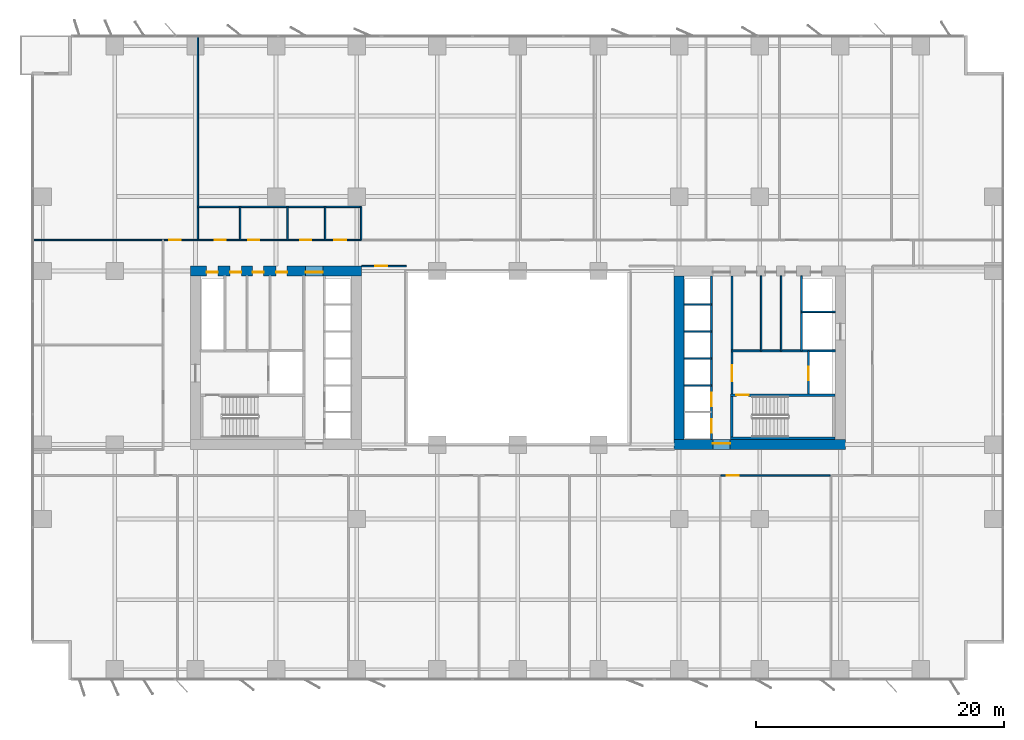
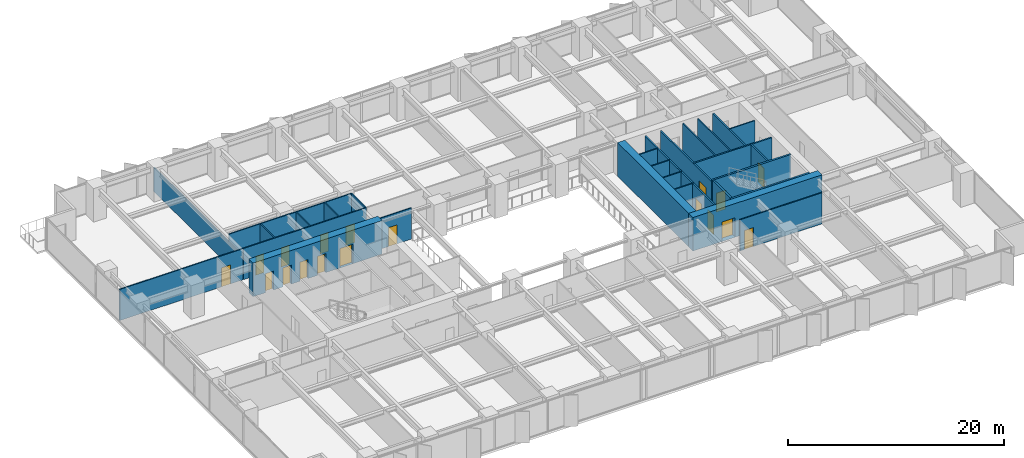
# One storey, part 14 of 20: 28 walls, 18 doors, 18 openings.
"""IFC4 building model written with IfcOpenShell, lengths in metres."""

from ifc_helpers import new_model, si_unit, direction, frame, frame_2d, origin, place, context, subcontext, project, spatial, rectangle, extrude, material, layer, layer_set, type_object, element, fill, save


model = new_model("IFC4")

# Units and contexts
model_context = context("Model", 3, precision=1e-05, world=origin(), true_north=direction((0.0, 1.0)))
body_context = subcontext(model_context, "Body", "Model", "MODEL_VIEW")
ifc_project = project(units=[si_unit("LENGTHUNIT", "METRE"), si_unit("AREAUNIT", "SQUARE_METRE"), si_unit("VOLUMEUNIT", "CUBIC_METRE"), si_unit("PLANEANGLEUNIT", "RADIAN"), si_unit("MASSUNIT", "GRAM", prefix="KILO")], contexts=[model_context])

# Site, building, storey
site_placement = place(None, origin())
site = spatial("IfcSite", under=ifc_project, at=site_placement, CompositionType="ELEMENT")
building_placement = place(site_placement, origin())
building = spatial("IfcBuilding", under=site, at=building_placement, Name="Putna Gate Headquarters", CompositionType="ELEMENT")
storey_placement = place(building_placement, frame((0.0, 0.0, 77.199951171875)))
storey = spatial("IfcBuildingStorey", under=building, at=storey_placement, Name="L18", CompositionType="ELEMENT", Elevation=77.199951171875)

# Wall, openings, doors
ifc_material_1 = material(Name="Concrete C60/75", Category="concrete")
ifc_layer_1 = layer(ifc_material_1, 0.800048828125)
ifc_layer_set_1 = layer_set([ifc_layer_1], Name="Concrete C60/75")
wall_type_1 = type_object("IfcWallType", Name="WALL-CORE-800", PredefinedType="SHEAR", material=ifc_layer_set_1)
wall_1_placement = place(storey_placement, frame((12.60009765625, 33.0, 0.0), z_axis=(0.0, 0.0, 1.0), x_axis=(1.0, 0.0, 0.0)))
wall_1 = element("IfcWall", 1, at=wall_1_placement, inside=storey, type_object=wall_type_1, Name="L18 WC Split Core Shear Wall N", PredefinedType="SHEAR", context=body_context, shape_type="SweptSolid", body=[
    extrude(rectangle(XDim=13.7998046875, YDim=0.800048828125, at=frame_2d((6.89990234375, 0.0))), origin(), (0.0, 0.0, 1.0), 3.800048828125),
])
opening_1_placement = place(wall_1_placement, frame((1.300048828125, 0.0, 0.0)))
opening_1 = element("IfcOpeningElement", 2, at=opening_1_placement, cuts=wall_1, Name="Opening RD-90", PredefinedType="OPENING", context=body_context, shape_type="SweptSolid", body=[
    extrude(rectangle(XDim=0.89990234375, YDim=2.14990234375, at=frame_2d((0.449951171875, 1.074951171875))), frame((0.0, 0.409912109375, 0.0), z_axis=(0.0, -1.0, 0.0), x_axis=(1.0, 0.0, 0.0)), (0.0, 0.0, 1.0), 0.820068359375),
])
opening_2_placement = place(wall_1_placement, frame((3.199951171875, 0.0, 0.0)))
opening_2 = element("IfcOpeningElement", 3, at=opening_2_placement, cuts=wall_1, Name="Opening IDS-90", PredefinedType="OPENING", context=body_context, shape_type="SweptSolid", body=[
    extrude(rectangle(XDim=0.89990234375, YDim=2.14990234375, at=frame_2d((0.449951171875, 1.074951171875))), frame((0.0, 0.409912109375, 0.0), z_axis=(0.0, -1.0, 0.0), x_axis=(1.0, 0.0, 0.0)), (0.0, 0.0, 1.0), 0.820068359375),
])
opening_3_placement = place(wall_1_placement, frame((5.0, 0.0, 0.0)))
opening_3 = element("IfcOpeningElement", 4, at=opening_3_placement, cuts=wall_1, Name="Opening IDS-90", PredefinedType="OPENING", context=body_context, shape_type="SweptSolid", body=[
    extrude(rectangle(XDim=0.89990234375, YDim=2.14990234375, at=frame_2d((0.449951171875, 1.074951171875))), frame((0.0, 0.409912109375, 0.0), z_axis=(0.0, -1.0, 0.0), x_axis=(1.0, 0.0, 0.0)), (0.0, 0.0, 1.0), 0.820068359375),
])
opening_4_placement = place(wall_1_placement, frame((6.89990234375, 0.0, 0.0)))
opening_4 = element("IfcOpeningElement", 5, at=opening_4_placement, cuts=wall_1, Name="Opening IDS-90", PredefinedType="OPENING", context=body_context, shape_type="SweptSolid", body=[
    extrude(rectangle(XDim=0.89990234375, YDim=2.14990234375, at=frame_2d((0.449951171875, 1.074951171875))), frame((0.0, 0.409912109375, 0.0), z_axis=(0.0, -1.0, 0.0), x_axis=(1.0, 0.0, 0.0)), (0.0, 0.0, 1.0), 0.820068359375),
])
opening_5_placement = place(wall_1_placement, frame((9.280029296875, 0.0, 0.0)))
opening_5 = element("IfcOpeningElement", 6, at=opening_5_placement, cuts=wall_1, Name="Opening FDD-140", PredefinedType="OPENING", context=body_context, shape_type="SweptSolid", body=[
    extrude(rectangle(XDim=1.39990234375, YDim=2.199951171875, at=frame_2d((0.699951171875, 1.10009765625))), frame((0.0, 0.409912109375, 0.0), z_axis=(0.0, -1.0, 0.0), x_axis=(1.0, 0.0, 0.0)), (0.0, 0.0, 1.0), 0.820068359375),
])
ifc_material_2 = material(Name="Double steel fire door", Category="steel")
door_type_1 = type_object("IfcDoorType", Name="DOOR-FIRE-DBL-1400", OperationType="DOUBLE_DOOR_SINGLE_SWING", PredefinedType="DOOR", material=ifc_material_2)
door_1_placement = place(opening_5_placement, origin())
door_1 = element("IfcDoor", 7, at=door_1_placement, inside=storey, type_object=door_type_1, Name="L18 West Lift Lobby North Door", OperationType="DOUBLE_DOOR_SINGLE_SWING", OverallHeight=2.199951171875, OverallWidth=1.39990234375, PredefinedType="DOOR", context=body_context, shape_type="SweptSolid", body=[
    extrude(rectangle(XDim=1.39990234375, YDim=2.199951171875, at=frame_2d((0.699951171875, 1.10009765625))), frame((0.0, -0.0751953125, 0.0), z_axis=(0.0, -1.0, 0.0), x_axis=(1.0, 0.0, 0.0)), (0.0, 0.0, 1.0), 0.050048828125),
])
fill(opening_5, door_1)
ifc_material_3 = material(Name="Fire-rated utility door")
door_type_2 = type_object("IfcDoorType", Name="DOOR-INT-900", OperationType="NOTDEFINED", PredefinedType="DOOR", material=ifc_material_3)
door_2_placement = place(opening_2_placement, origin())
door_2 = element("IfcDoor", 8, at=door_2_placement, inside=storey, type_object=door_type_2, Name="L18 Janitor Cupboard Door", OperationType="SINGLE_SWING_LEFT", OverallHeight=2.14990234375, OverallWidth=0.89990234375, PredefinedType="DOOR", context=body_context, shape_type="SweptSolid", body=[
    extrude(rectangle(XDim=0.89990234375, YDim=2.14990234375, at=frame_2d((0.449951171875, 1.074951171875))), frame((0.0, -0.0751953125, 0.0), z_axis=(0.0, -1.0, 0.0), x_axis=(1.0, 0.0, 0.0)), (0.0, 0.0, 1.0), 0.050048828125),
])
fill(opening_2, door_2)
door_3_placement = place(opening_3_placement, origin())
door_3 = element("IfcDoor", 9, at=door_3_placement, inside=storey, type_object=door_type_2, Name="L18 IT Patch Plant Door", OperationType="SINGLE_SWING_RIGHT", OverallHeight=2.14990234375, OverallWidth=0.89990234375, PredefinedType="DOOR", context=body_context, shape_type="SweptSolid", body=[
    extrude(rectangle(XDim=0.89990234375, YDim=2.14990234375, at=frame_2d((0.449951171875, 1.074951171875))), frame((0.0, -0.0751953125, 0.0), z_axis=(0.0, -1.0, 0.0), x_axis=(1.0, 0.0, 0.0)), (0.0, 0.0, 1.0), 0.050048828125),
])
fill(opening_3, door_3)
door_4_placement = place(opening_4_placement, origin())
door_4 = element("IfcDoor", 10, at=door_4_placement, inside=storey, type_object=door_type_2, Name="L18 Building Records Store Door", OperationType="SINGLE_SWING_LEFT", OverallHeight=2.14990234375, OverallWidth=0.89990234375, PredefinedType="DOOR", context=body_context, shape_type="SweptSolid", body=[
    extrude(rectangle(XDim=0.89990234375, YDim=2.14990234375, at=frame_2d((0.449951171875, 1.074951171875))), frame((0.0, -0.0751953125, 0.0), z_axis=(0.0, -1.0, 0.0), x_axis=(1.0, 0.0, 0.0)), (0.0, 0.0, 1.0), 0.050048828125),
])
fill(opening_4, door_4)
ifc_material_4 = material(Name="Steel riser access fire door", Category="steel")
door_type_3 = type_object("IfcDoorType", Name="DOOR-RISER-900", OperationType="NOTDEFINED", PredefinedType="DOOR", material=ifc_material_4)
door_5_placement = place(opening_1_placement, origin())
door_5 = element("IfcDoor", 11, at=door_5_placement, inside=storey, type_object=door_type_3, Name="L18 West Riser Access Door", OperationType="SINGLE_SWING_RIGHT", OverallHeight=2.14990234375, OverallWidth=0.89990234375, PredefinedType="DOOR", context=body_context, shape_type="SweptSolid", body=[
    extrude(rectangle(XDim=0.89990234375, YDim=2.14990234375, at=frame_2d((0.449951171875, 1.074951171875))), frame((0.0, -0.0751953125, 0.0), z_axis=(0.0, -1.0, 0.0), x_axis=(1.0, 0.0, 0.0)), (0.0, 0.0, 1.0), 0.050048828125),
])
fill(opening_1, door_5)

# Wall, opening, door
wall_2_placement = place(storey_placement, frame((51.60009765625, 19.0, 0.0), z_axis=(0.0, 0.0, 1.0), x_axis=(1.0, 0.0, 0.0)))
wall_2 = element("IfcWall", 12, at=wall_2_placement, inside=storey, type_object=wall_type_1, Name="L18 EC Split Core Shear Wall S", PredefinedType="SHEAR", context=body_context, shape_type="SweptSolid", body=[
    extrude(rectangle(XDim=13.7998046875, YDim=0.800048828125, at=frame_2d((6.89990234375, 0.0))), origin(), (0.0, 0.0, 1.0), 3.800048828125),
])
opening_6_placement = place(wall_2_placement, frame((3.1201171875, 0.0, 0.0)))
opening_6 = element("IfcOpeningElement", 13, at=opening_6_placement, cuts=wall_2, Name="Opening FDD-140", PredefinedType="OPENING", context=body_context, shape_type="SweptSolid", body=[
    extrude(rectangle(XDim=1.39990234375, YDim=2.199951171875, at=frame_2d((0.699951171875, 1.10009765625))), frame((0.0, 0.409912109375, 0.0), z_axis=(0.0, -1.0, 0.0), x_axis=(1.0, 0.0, 0.0)), (0.0, 0.0, 1.0), 0.820068359375),
])
door_6_placement = place(opening_6_placement, origin())
door_6 = element("IfcDoor", 14, at=door_6_placement, inside=storey, type_object=door_type_1, Name="L18 East Lift Lobby South Door", OperationType="DOUBLE_DOOR_SINGLE_SWING", OverallHeight=2.199951171875, OverallWidth=1.39990234375, PredefinedType="DOOR", context=body_context, shape_type="SweptSolid", body=[
    extrude(rectangle(XDim=1.39990234375, YDim=2.199951171875, at=frame_2d((0.699951171875, 1.10009765625))), frame((0.0, 0.125, 0.0), z_axis=(0.0, -1.0, 0.0), x_axis=(1.0, 0.0, 0.0)), (0.0, 0.0, 1.0), 0.050048828125),
])
fill(opening_6, door_6)

# Wall
wall_3_placement = place(storey_placement, frame((52.0, 19.39990234375, 0.0), z_axis=(0.0, 0.0, 1.0), x_axis=(0.0, 1.0, 0.0)))
element("IfcWall", 15, at=wall_3_placement, inside=storey, type_object=wall_type_1, Name="L18 EC Split Core Shear Wall W", PredefinedType="SHEAR", context=body_context, shape_type="SweptSolid", body=[
    extrude(rectangle(XDim=13.2001953125, YDim=0.800048828125, at=frame_2d((6.60009765625, 0.0))), origin(), (0.0, 0.0, 1.0), 3.800048828125),
])

# Wall, opening, door
ifc_material_5 = material(Name="Acoustic gypsum board on metal stud")
ifc_layer_2 = layer(ifc_material_5, 0.1201171875)
ifc_layer_set_2 = layer_set([ifc_layer_2], Name="Acoustic gypsum board on metal stud")
wall_type_2 = type_object("IfcWallType", Name="WALL-PART-120", PredefinedType="PARTITIONING", material=ifc_layer_set_2)
wall_4_placement = place(storey_placement, frame((26.39990234375, 33.39990234375, 0.0), z_axis=(0.0, 0.0, 1.0), x_axis=(1.0, 0.0, 0.0)))
wall_4 = element("IfcWall", 16, at=wall_4_placement, inside=storey, type_object=wall_type_2, Name="L18 Interior Wall PART-L18-ATR-W-N", PredefinedType="PARTITIONING", context=body_context, shape_type="SweptSolid", body=[
    extrude(rectangle(XDim=3.60009765625, YDim=0.1201171875, at=frame_2d((1.800048828125, 0.0))), origin(), (0.0, 0.0, 1.0), 3.52001953125),
])
opening_7_placement = place(wall_4_placement, frame((1.10009765625, 0.0, 0.0)))
opening_7 = element("IfcOpeningElement", 17, at=opening_7_placement, cuts=wall_4, Name="Opening ID-95", PredefinedType="OPENING", context=body_context, shape_type="SweptSolid", body=[
    extrude(rectangle(XDim=0.949951171875, YDim=2.14990234375, at=frame_2d((0.47509765625, 1.074951171875))), frame((0.0, 0.070068359375, 0.0), z_axis=(0.0, -1.0, 0.0), x_axis=(1.0, 0.0, 0.0)), (0.0, 0.0, 1.0), 0.14013671875),
])
ifc_material_6 = material(Name="Veneered acoustic timber door", Category="wood")
door_type_4 = type_object("IfcDoorType", Name="DOOR-OFF-950", OperationType="NOTDEFINED", PredefinedType="DOOR", material=ifc_material_6)
door_7_placement = place(opening_7_placement, origin())
door_7 = element("IfcDoor", 18, at=door_7_placement, inside=storey, type_object=door_type_4, Name="L18 West Atrium North Study Door", OperationType="SINGLE_SWING_RIGHT", OverallHeight=2.14990234375, OverallWidth=0.949951171875, PredefinedType="DOOR", context=body_context, shape_type="SweptSolid", body=[
    extrude(rectangle(XDim=0.949951171875, YDim=2.14990234375, at=frame_2d((0.47509765625, 1.074951171875))), frame((0.0, 0.02490234375, 0.0), z_axis=(0.0, -1.0, 0.0), x_axis=(1.0, 0.0, 0.0)), (0.0, 0.0, 1.0), 0.050048828125),
])
fill(opening_7, door_7)

# Walls
wall_5_placement = place(storey_placement, frame((13.199951171875, 35.56005859375, 0.0), z_axis=(0.0, 0.0, 1.0), x_axis=(0.0, 1.0, 0.0)))
element("IfcWall", 19, at=wall_5_placement, inside=storey, type_object=wall_type_2, Name="L18 Interior Wall PART-L18-NB-DIV-01", PredefinedType="PARTITIONING", context=body_context, shape_type="SweptSolid", body=[
    extrude(rectangle(XDim=16.419921875, YDim=0.1201171875, at=frame_2d((8.2099609375, 0.0))), origin(), (0.0, 0.0, 1.0), 2.719970703125),
])
ifc_material_7 = material(Name="Fire-rated shaftwall gypsum board on metal stud")
ifc_layer_3 = layer(ifc_material_7, 0.1201171875)
ifc_layer_set_3 = layer_set([ifc_layer_3], Name="Fire-rated shaftwall gypsum board on metal stud")
wall_type_3 = type_object("IfcWallType", Name="WALL-PART-120-EI120", PredefinedType="PARTITIONING", material=ifc_layer_set_3)
for number, where, z_axis, x_axis, name in (
    (20, (52.39990234375, 23.780029296875, 0.0), (0.0, 0.0, 1.0), (1.0, 0.0, 0.0), "L18 Interior Wall CWINT-L18-EC-LF04-DIV"),
    (21, (52.39990234375, 25.949951171875, 0.0), (0.0, 0.0, 1.0), (1.0, 0.0, 0.0), "L18 Interior Wall CWINT-L18-EC-LF07-DIV"),
    (22, (52.39990234375, 28.1201171875, 0.0), (0.0, 0.0, 1.0), (1.0, 0.0, 0.0), "L18 Interior Wall CWINT-L18-EC-LF08-DIV"),
    (23, (52.39990234375, 30.31005859375, 0.0), (0.0, 0.0, 1.0), (1.0, 0.0, 0.0), "L18 Interior Wall CWINT-L18-EC-LF11-DIV"),
):
    element("IfcWall", number, at=place(storey_placement, frame(where, z_axis=z_axis, x_axis=x_axis)), inside=storey, type_object=wall_type_3, Name=name, PredefinedType="PARTITIONING", context=body_context, shape_type="SweptSolid", body=[
        extrude(rectangle(XDim=2.2001953125, YDim=0.1201171875, at=frame_2d((1.10009765625, 0.0))), origin(), (0.0, 0.0, 1.0), 3.52001953125),
    ])
wall_6_placement = place(storey_placement, frame((61.8701171875, 29.699951171875, 0.0), z_axis=(0.0, 0.0, 1.0), x_axis=(1.0, 0.0, 0.0)))
element("IfcWall", 24, at=wall_6_placement, inside=storey, type_object=wall_type_3, Name="L18 Interior Wall CWINT-L18-EC-LF15-N", PredefinedType="PARTITIONING", context=body_context, shape_type="SweptSolid", body=[
    extrude(rectangle(XDim=2.72998046875, YDim=0.1201171875, at=frame_2d((1.364990234375, 0.0))), origin(), (0.0, 0.0, 1.0), 3.52001953125),
])
ifc_material_8 = material(Name="Fire-rated gypsum board on metal stud")
ifc_layer_4 = layer(ifc_material_8, 0.1201171875)
ifc_layer_set_4 = layer_set([ifc_layer_4], Name="Fire-rated gypsum board on metal stud")
wall_type_4 = type_object("IfcWallType", Name="WALL-PART-120-RATED", PredefinedType="PARTITIONING", material=ifc_layer_set_4)
for number, where, z_axis, x_axis, name in (
    (25, (58.6201171875, 26.56005859375, 0.0), (0.0, 0.0, 1.0), (0.0, 1.0, 0.0), "L18 Interior Wall CWINT-L18-EC-K2-D1"),
    (26, (60.219970703125, 26.56005859375, 0.0), (0.0, 0.0, 1.0), (0.0, 1.0, 0.0), "L18 Interior Wall CWINT-L18-EC-K2-D2"),
):
    element("IfcWall", number, at=place(storey_placement, frame(where, z_axis=z_axis, x_axis=x_axis)), inside=storey, type_object=wall_type_4, Name=name, PredefinedType="PARTITIONING", context=body_context, shape_type="SweptSolid", body=[
        extrude(rectangle(XDim=6.0400390625, YDim=0.1201171875, at=frame_2d((3.02001953125, 0.0))), origin(), (0.0, 0.0, 1.0), 3.52001953125),
    ])

# Wall, openings, doors
wall_7_placement = place(storey_placement, frame((13.199951171875, 35.5, 0.0), z_axis=(0.0, 0.0, 1.0), x_axis=(1.0, 0.0, 0.0)))
wall_7 = element("IfcWall", 27, at=wall_7_placement, inside=storey, type_object=wall_type_4, Name="L18 Interior Wall PART-L18-SAN-CW", PredefinedType="PARTITIONING", context=body_context, shape_type="SweptSolid", body=[
    extrude(rectangle(XDim=13.16015625, YDim=0.1201171875, at=frame_2d((6.580078125, 0.0))), origin(), (0.0, 0.0, 1.0), 3.52001953125),
])
opening_8_placement = place(wall_7_placement, frame((1.35009765625, 0.0, 0.0)))
opening_8 = element("IfcOpeningElement", 28, at=opening_8_placement, cuts=wall_7, Name="Opening FD-90", PredefinedType="OPENING", context=body_context, shape_type="SweptSolid", body=[
    extrude(rectangle(XDim=0.89990234375, YDim=2.14990234375, at=frame_2d((0.449951171875, 1.074951171875))), frame((0.0, 0.070068359375, 0.0), z_axis=(0.0, -1.0, 0.0), x_axis=(1.0, 0.0, 0.0)), (0.0, 0.0, 1.0), 0.14013671875),
])
opening_9_placement = place(wall_7_placement, frame((4.050048828125, 0.0, 0.0)))
opening_9 = element("IfcOpeningElement", 29, at=opening_9_placement, cuts=wall_7, Name="Opening FD-90", PredefinedType="OPENING", context=body_context, shape_type="SweptSolid", body=[
    extrude(rectangle(XDim=0.89990234375, YDim=2.14990234375, at=frame_2d((0.449951171875, 1.074951171875))), frame((0.0, 0.070068359375, 0.0), z_axis=(0.0, -1.0, 0.0), x_axis=(1.0, 0.0, 0.0)), (0.0, 0.0, 1.0), 0.14013671875),
])
opening_10_placement = place(wall_7_placement, frame((8.25, 0.0, 0.0)))
opening_10 = element("IfcOpeningElement", 30, at=opening_10_placement, cuts=wall_7, Name="Opening FD-90", PredefinedType="OPENING", context=body_context, shape_type="SweptSolid", body=[
    extrude(rectangle(XDim=0.89990234375, YDim=2.14990234375, at=frame_2d((0.449951171875, 1.074951171875))), frame((0.0, 0.070068359375, 0.0), z_axis=(0.0, -1.0, 0.0), x_axis=(1.0, 0.0, 0.0)), (0.0, 0.0, 1.0), 0.14013671875),
])
opening_11_placement = place(wall_7_placement, frame((11.0, 0.0, 0.0)))
opening_11 = element("IfcOpeningElement", 31, at=opening_11_placement, cuts=wall_7, Name="Opening FD-95", PredefinedType="OPENING", context=body_context, shape_type="SweptSolid", body=[
    extrude(rectangle(XDim=0.949951171875, YDim=2.14990234375, at=frame_2d((0.47509765625, 1.074951171875))), frame((0.0, 0.070068359375, 0.0), z_axis=(0.0, -1.0, 0.0), x_axis=(1.0, 0.0, 0.0)), (0.0, 0.0, 1.0), 0.14013671875),
])
ifc_material_9 = material(Name="Acoustic washroom fire door")
door_type_5 = type_object("IfcDoorType", Name="DOOR-FIRE-900", OperationType="NOTDEFINED", PredefinedType="DOOR", material=ifc_material_9)
door_8_placement = place(opening_8_placement, origin())
door_8 = element("IfcDoor", 32, at=door_8_placement, inside=storey, type_object=door_type_5, Name="L18 Washroom Male Door", OperationType="SINGLE_SWING_RIGHT", OverallHeight=2.14990234375, OverallWidth=0.89990234375, PredefinedType="DOOR", context=body_context, shape_type="SweptSolid", body=[
    extrude(rectangle(XDim=0.89990234375, YDim=2.14990234375, at=frame_2d((0.449951171875, 1.074951171875))), frame((0.0, 0.02490234375, 0.0), z_axis=(0.0, -1.0, 0.0), x_axis=(1.0, 0.0, 0.0)), (0.0, 0.0, 1.0), 0.050048828125),
])
fill(opening_8, door_8)
door_9_placement = place(opening_9_placement, origin())
door_9 = element("IfcDoor", 33, at=door_9_placement, inside=storey, type_object=door_type_5, Name="L18 Washroom Female Door", OperationType="SINGLE_SWING_LEFT", OverallHeight=2.14990234375, OverallWidth=0.89990234375, PredefinedType="DOOR", context=body_context, shape_type="SweptSolid", body=[
    extrude(rectangle(XDim=0.89990234375, YDim=2.14990234375, at=frame_2d((0.449951171875, 1.074951171875))), frame((0.0, 0.02490234375, 0.0), z_axis=(0.0, -1.0, 0.0), x_axis=(1.0, 0.0, 0.0)), (0.0, 0.0, 1.0), 0.050048828125),
])
fill(opening_9, door_9)
door_10_placement = place(opening_10_placement, origin())
door_10 = element("IfcDoor", 34, at=door_10_placement, inside=storey, type_object=door_type_5, Name="L18 Accessible WC Door", OperationType="SINGLE_SWING_RIGHT", OverallHeight=2.14990234375, OverallWidth=0.89990234375, PredefinedType="DOOR", context=body_context, shape_type="SweptSolid", body=[
    extrude(rectangle(XDim=0.89990234375, YDim=2.14990234375, at=frame_2d((0.449951171875, 1.074951171875))), frame((0.0, 0.02490234375, 0.0), z_axis=(0.0, -1.0, 0.0), x_axis=(1.0, 0.0, 0.0)), (0.0, 0.0, 1.0), 0.050048828125),
])
fill(opening_10, door_10)
ifc_material_10 = material(Name="Acoustic timber fire door", Category="wood")
door_type_6 = type_object("IfcDoorType", Name="DOOR-FIRE-950", OperationType="NOTDEFINED", PredefinedType="DOOR", material=ifc_material_10)
door_11_placement = place(opening_11_placement, origin())
door_11 = element("IfcDoor", 35, at=door_11_placement, inside=storey, type_object=door_type_6, Name="L18 Staff Pantry and Tea Point Door", OperationType="SINGLE_SWING_LEFT", OverallHeight=2.14990234375, OverallWidth=0.949951171875, PredefinedType="DOOR", context=body_context, shape_type="SweptSolid", body=[
    extrude(rectangle(XDim=0.949951171875, YDim=2.14990234375, at=frame_2d((0.47509765625, 1.074951171875))), frame((0.0, 0.02490234375, 0.0), z_axis=(0.0, -1.0, 0.0), x_axis=(1.0, 0.0, 0.0)), (0.0, 0.0, 1.0), 0.050048828125),
])
fill(opening_11, door_11)

# Walls
wall_8_placement = place(storey_placement, frame((13.199951171875, 38.179931640625, 0.0), z_axis=(0.0, 0.0, 1.0), x_axis=(1.0, 0.0, 0.0)))
element("IfcWall", 36, at=wall_8_placement, inside=storey, type_object=wall_type_4, Name="L18 Interior Wall PART-L18-SAN-BACK", PredefinedType="PARTITIONING", context=body_context, shape_type="SweptSolid", body=[
    extrude(rectangle(XDim=13.16015625, YDim=0.1201171875, at=frame_2d((6.580078125, 0.0))), origin(), (0.0, 0.0, 1.0), 3.52001953125),
])
for number, where, z_axis, x_axis, name in (
    (37, (16.60009765625, 35.5, 0.0), (0.0, 0.0, 1.0), (0.0, 1.0, 0.0), "L18 Interior Wall PART-L18-SAN-DIV-1"),
    (38, (20.419921875, 35.5, 0.0), (0.0, 0.0, 1.0), (0.0, 1.0, 0.0), "L18 Interior Wall PART-L18-SAN-DIV-2"),
    (39, (23.4599609375, 35.5, 0.0), (0.0, 0.0, 1.0), (0.0, 1.0, 0.0), "L18 Interior Wall PART-L18-SAN-DIV-3"),
    (40, (26.360107421875, 35.5, 0.0), (0.0, 0.0, 1.0), (0.0, 1.0, 0.0), "L18 Interior Wall PART-L18-SAN-DIV-4"),
):
    element("IfcWall", number, at=place(storey_placement, frame(where, z_axis=z_axis, x_axis=x_axis)), inside=storey, type_object=wall_type_4, Name=name, PredefinedType="PARTITIONING", context=body_context, shape_type="SweptSolid", body=[
        extrude(rectangle(XDim=2.679931640625, YDim=0.1201171875, at=frame_2d((1.33984375, 0.0))), origin(), (0.0, 0.0, 1.0), 3.52001953125),
    ])

# Wall, opening, door
wall_9_placement = place(storey_placement, frame((-0.02001953125, 35.5, 0.0), z_axis=(0.0, 0.0, 1.0), x_axis=(1.0, 0.0, 0.0)))
wall_9 = element("IfcWall", 41, at=wall_9_placement, inside=storey, type_object=wall_type_4, Name="L18 Interior Wall PART-L18-NB-CW-01", PredefinedType="PARTITIONING", context=body_context, shape_type="SweptSolid", body=[
    extrude(rectangle(XDim=13.159912109375, YDim=0.1201171875, at=frame_2d((6.580078125, 0.0))), origin(), (0.0, 0.0, 1.0), 3.52001953125),
])
opening_12_placement = place(wall_9_placement, frame((10.89990234375, 0.0, 0.0)))
opening_12 = element("IfcOpeningElement", 42, at=opening_12_placement, cuts=wall_9, Name="Opening FD-95", PredefinedType="OPENING", context=body_context, shape_type="SweptSolid", body=[
    extrude(rectangle(XDim=0.949951171875, YDim=2.14990234375, at=frame_2d((0.47509765625, 1.074951171875))), frame((0.0, 0.070068359375, 0.0), z_axis=(0.0, -1.0, 0.0), x_axis=(1.0, 0.0, 0.0)), (0.0, 0.0, 1.0), 0.14013671875),
])
door_12_placement = place(opening_12_placement, origin())
door_12 = element("IfcDoor", 43, at=door_12_placement, inside=storey, type_object=door_type_6, Name="L18 Quiet Wellness Focus Studio 3 Door", OperationType="SINGLE_SWING_RIGHT", OverallHeight=2.14990234375, OverallWidth=0.949951171875, PredefinedType="DOOR", context=body_context, shape_type="SweptSolid", body=[
    extrude(rectangle(XDim=0.949951171875, YDim=2.14990234375, at=frame_2d((0.47509765625, 1.074951171875))), frame((0.0, 0.02490234375, 0.0), z_axis=(0.0, -1.0, 0.0), x_axis=(1.0, 0.0, 0.0)), (0.0, 0.0, 1.0), 0.050048828125),
])
fill(opening_12, door_12)

wall_10_placement = place(storey_placement, frame((55.378173828125, 16.5, 0.0), z_axis=(0.0, 0.0, 1.0), x_axis=(1.0, 0.0, 0.0)))
wall_10 = element("IfcWall", 44, at=wall_10_placement, inside=storey, type_object=wall_type_4, Name="L18 Interior Wall PART-L18-SB-CW-06", PredefinedType="PARTITIONING", context=body_context, shape_type="SweptSolid", body=[
    extrude(rectangle(XDim=8.792236328125, YDim=0.1201171875, at=frame_2d((4.39599609375, 0.0))), origin(), (0.0, 0.0, 1.0), 3.52001953125),
])
opening_13_placement = place(wall_10_placement, frame((0.47998046875, 0.0, 0.0)))
opening_13 = element("IfcOpeningElement", 45, at=opening_13_placement, cuts=wall_10, Name="Opening FD-95", PredefinedType="OPENING", context=body_context, shape_type="SweptSolid", body=[
    extrude(rectangle(XDim=0.949951171875, YDim=2.14990234375, at=frame_2d((0.47509765625, 1.074951171875))), frame((0.0, 0.070068359375, 0.0), z_axis=(0.0, -1.0, 0.0), x_axis=(1.0, 0.0, 0.0)), (0.0, 0.0, 1.0), 0.14013671875),
])
door_13_placement = place(opening_13_placement, origin())
door_13 = element("IfcDoor", 46, at=door_13_placement, inside=storey, type_object=door_type_6, Name="L18 Quiet Wellness Focus Studio 2 Door", OperationType="SINGLE_SWING_RIGHT", OverallHeight=2.14990234375, OverallWidth=0.949951171875, PredefinedType="DOOR", context=body_context, shape_type="SweptSolid", body=[
    extrude(rectangle(XDim=0.949951171875, YDim=2.14990234375, at=frame_2d((0.47509765625, 1.074951171875))), frame((0.0, 0.02490234375, 0.0), z_axis=(0.0, -1.0, 0.0), x_axis=(1.0, 0.0, 0.0)), (0.0, 0.0, 1.0), 0.050048828125),
])
fill(opening_13, door_13)

# Wall, openings, doors
ifc_material_11 = material(Name="Concrete C40/50", Category="concrete")
ifc_layer_5 = layer(ifc_material_11, 0.159912109375)
ifc_layer_set_5 = layer_set([ifc_layer_5], Name="Concrete C40/50")
wall_type_5 = type_object("IfcWallType", Name="WALL-SHAFT-160", PredefinedType="STANDARD", material=ifc_layer_set_5)
wall_11_placement = place(storey_placement, frame((54.60009765625, 19.39990234375, 0.0), z_axis=(0.0, 0.0, 1.0), x_axis=(0.0, 1.0, 0.0)))
wall_11 = element("IfcWall", 47, at=wall_11_placement, inside=storey, type_object=wall_type_5, Name="L18 Interior Wall CWINT-L18-EC-PL-WALL", PredefinedType="STANDARD", context=body_context, shape_type="SweptSolid", body=[
    extrude(rectangle(XDim=13.2001953125, YDim=0.159912109375, at=frame_2d((6.60009765625, 0.0))), origin(), (0.0, 0.0, 1.0), 3.52001953125),
])
opening_14_placement = place(wall_11_placement, frame((0.550048828125, 0.0, 0.0)))
opening_14 = element("IfcOpeningElement", 48, at=opening_14_placement, cuts=wall_11, Name="Opening LD-1", PredefinedType="OPENING", context=body_context, shape_type="SweptSolid", body=[
    extrude(rectangle(XDim=1.10009765625, YDim=2.199951171875, at=frame_2d((0.550048828125, 1.10009765625))), frame((0.0, 0.08984375, 0.0), z_axis=(0.0, -1.0, 0.0), x_axis=(1.0, 0.0, 0.0)), (0.0, 0.0, 1.0), 0.179931640625),
])
opening_15_placement = place(wall_11_placement, frame((2.699951171875, 0.0, 0.0)))
opening_15 = element("IfcOpeningElement", 49, at=opening_15_placement, cuts=wall_11, Name="Opening LD-1", PredefinedType="OPENING", context=body_context, shape_type="SweptSolid", body=[
    extrude(rectangle(XDim=1.10009765625, YDim=2.199951171875, at=frame_2d((0.550048828125, 1.10009765625))), frame((0.0, 0.08984375, 0.0), z_axis=(0.0, -1.0, 0.0), x_axis=(1.0, 0.0, 0.0)), (0.0, 0.0, 1.0), 0.179931640625),
])
ifc_material_12 = material(Name="Brushed bronze stainless lift landing door")
door_type_7 = type_object("IfcDoorType", Name="DOOR-LIFT-1100", OperationType="DOUBLE_DOOR_SLIDING", PredefinedType="DOOR", material=ifc_material_12)
door_14_placement = place(opening_14_placement, origin())
door_14 = element("IfcDoor", 50, at=door_14_placement, inside=storey, type_object=door_type_7, Name="L18 Lift Landing Door LD-03", OperationType="DOUBLE_DOOR_SLIDING", OverallHeight=2.199951171875, OverallWidth=1.10009765625, PredefinedType="DOOR", context=body_context, shape_type="SweptSolid", body=[
    extrude(rectangle(XDim=1.10009765625, YDim=2.199951171875, at=frame_2d((0.550048828125, 1.10009765625))), frame((0.0, 0.02490234375, 0.0), z_axis=(0.0, -1.0, 0.0), x_axis=(1.0, 0.0, 0.0)), (0.0, 0.0, 1.0), 0.050048828125),
])
fill(opening_14, door_14)
door_15_placement = place(opening_15_placement, origin())
door_15 = element("IfcDoor", 51, at=door_15_placement, inside=storey, type_object=door_type_7, Name="L18 Lift Landing Door LD-04", OperationType="DOUBLE_DOOR_SLIDING", OverallHeight=2.199951171875, OverallWidth=1.10009765625, PredefinedType="DOOR", context=body_context, shape_type="SweptSolid", body=[
    extrude(rectangle(XDim=1.10009765625, YDim=2.199951171875, at=frame_2d((0.550048828125, 1.10009765625))), frame((0.0, 0.02490234375, 0.0), z_axis=(0.0, -1.0, 0.0), x_axis=(1.0, 0.0, 0.0)), (0.0, 0.0, 1.0), 0.050048828125),
])
fill(opening_15, door_15)

# Wall, opening, door
wall_12_placement = place(storey_placement, frame((56.260009765625, 23.090087890625, 0.0), z_axis=(0.0, 0.0, 1.0), x_axis=(0.0, 1.0, 0.0)))
wall_12 = element("IfcWall", 52, at=wall_12_placement, inside=storey, type_object=wall_type_5, Name="L18 Interior Wall CWINT-L18-EC-LOB-E", PredefinedType="STANDARD", context=body_context, shape_type="SweptSolid", body=[
    extrude(rectangle(XDim=9.510009765625, YDim=0.159912109375, at=frame_2d((4.7548828125, 0.0))), origin(), (0.0, 0.0, 1.0), 3.52001953125),
])
opening_16_placement = place(wall_12_placement, frame((1.010009765625, 0.0, 0.0)))
opening_16 = element("IfcOpeningElement", 53, at=opening_16_placement, cuts=wall_12, Name="Opening FDD-130", PredefinedType="OPENING", context=body_context, shape_type="SweptSolid", body=[
    extrude(rectangle(XDim=1.300048828125, YDim=2.199951171875, at=frame_2d((0.64990234375, 1.10009765625))), frame((0.0, 0.08984375, 0.0), z_axis=(0.0, -1.0, 0.0), x_axis=(1.0, 0.0, 0.0)), (0.0, 0.0, 1.0), 0.179931640625),
])
ifc_material_13 = material(Name="Double steel lobby fire door", Category="steel")
door_type_8 = type_object("IfcDoorType", Name="DOOR-FIRE-DBL-1300", OperationType="DOUBLE_DOOR_SINGLE_SWING", PredefinedType="DOOR", material=ifc_material_13)
door_16_placement = place(opening_16_placement, origin())
door_16 = element("IfcDoor", 54, at=door_16_placement, inside=storey, type_object=door_type_8, Name="L18 East Firefighting Lobby Door", OperationType="DOUBLE_DOOR_SINGLE_SWING", OverallHeight=2.199951171875, OverallWidth=1.300048828125, PredefinedType="DOOR", context=body_context, shape_type="SweptSolid", body=[
    extrude(rectangle(XDim=1.300048828125, YDim=2.199951171875, at=frame_2d((0.64990234375, 1.10009765625))), frame((0.0, 0.02490234375, 0.0), z_axis=(0.0, -1.0, 0.0), x_axis=(1.0, 0.0, 0.0)), (0.0, 0.0, 1.0), 0.050048828125),
])
fill(opening_16, door_16)

wall_13_placement = place(storey_placement, frame((62.429931640625, 23.090087890625, 0.0), z_axis=(0.0, 0.0, 1.0), x_axis=(0.0, 1.0, 0.0)))
wall_13 = element("IfcWall", 55, at=wall_13_placement, inside=storey, type_object=wall_type_5, Name="L18 Interior Wall CWINT-L18-EC-LF14-W", PredefinedType="STANDARD", context=body_context, shape_type="SweptSolid", body=[
    extrude(rectangle(XDim=3.469970703125, YDim=0.159912109375, at=frame_2d((1.73486328125, 0.0))), origin(), (0.0, 0.0, 1.0), 3.52001953125),
])
opening_17_placement = place(wall_13_placement, frame((1.10009765625, 0.0, 0.0)))
opening_17 = element("IfcOpeningElement", 56, at=opening_17_placement, cuts=wall_13, Name="Opening LD-1", PredefinedType="OPENING", context=body_context, shape_type="SweptSolid", body=[
    extrude(rectangle(XDim=1.10009765625, YDim=2.199951171875, at=frame_2d((0.550048828125, 1.10009765625))), frame((0.0, 0.08984375, 0.0), z_axis=(0.0, -1.0, 0.0), x_axis=(1.0, 0.0, 0.0)), (0.0, 0.0, 1.0), 0.179931640625),
])
door_17_placement = place(opening_17_placement, origin())
door_17 = element("IfcDoor", 57, at=door_17_placement, inside=storey, type_object=door_type_7, Name="L18 Lift Landing Door LD-14", OperationType="DOUBLE_DOOR_SLIDING", OverallHeight=2.199951171875, OverallWidth=1.10009765625, PredefinedType="DOOR", context=body_context, shape_type="SweptSolid", body=[
    extrude(rectangle(XDim=1.10009765625, YDim=2.199951171875, at=frame_2d((0.550048828125, 1.10009765625))), frame((0.0, 0.02490234375, 0.0), z_axis=(0.0, -1.0, 0.0), x_axis=(1.0, 0.0, 0.0)), (0.0, 0.0, 1.0), 0.050048828125),
])
fill(opening_17, door_17)

# Walls
wall_14_placement = place(storey_placement, frame((56.260009765625, 26.56005859375, 0.0), z_axis=(0.0, 0.0, 1.0), x_axis=(1.0, 0.0, 0.0)))
element("IfcWall", 58, at=wall_14_placement, inside=storey, type_object=wall_type_5, Name="L18 Interior Wall CWINT-L18-EC-FFL-N", PredefinedType="STANDARD", context=body_context, shape_type="SweptSolid", body=[
    extrude(rectangle(XDim=8.340087890625, YDim=0.159912109375, at=frame_2d((4.169921875, 0.0))), origin(), (0.0, 0.0, 1.0), 3.52001953125),
])
wall_15_placement = place(storey_placement, frame((61.8701171875, 26.56005859375, 0.0), z_axis=(0.0, 0.0, 1.0), x_axis=(0.0, 1.0, 0.0)))
element("IfcWall", 59, at=wall_15_placement, inside=storey, type_object=wall_type_5, Name="L18 Interior Wall CWINT-L18-EC-LF15-W", PredefinedType="STANDARD", context=body_context, shape_type="SweptSolid", body=[
    extrude(rectangle(XDim=6.0400390625, YDim=0.159912109375, at=frame_2d((3.02001953125, 0.0))), origin(), (0.0, 0.0, 1.0), 3.52001953125),
])
ifc_layer_6 = layer(ifc_material_11, 0.199951171875)
ifc_layer_set_6 = layer_set([ifc_layer_6], Name="Concrete C40/50")
wall_type_6 = type_object("IfcWallType", Name="WALL-SHAFT-RC200", PredefinedType="SHEAR", material=ifc_layer_set_6)
wall_16_placement = place(storey_placement, frame((56.159912109375, 19.510009765625, 0.0), z_axis=(0.0, 0.0, 1.0), x_axis=(1.0, 0.0, 0.0)))
element("IfcWall", 60, at=wall_16_placement, inside=storey, type_object=wall_type_6, Name="L18 Stair ST2 Structural Shaft Wall S", PredefinedType="SHEAR", context=body_context, shape_type="SweptSolid", body=[
    extrude(rectangle(XDim=8.43017578125, YDim=0.199951171875, at=frame_2d((4.215087890625, 0.0))), origin(), (0.0, 0.0, 1.0), 3.800048828125),
])

# Wall, opening, door
wall_17_placement = place(storey_placement, frame((56.159912109375, 22.989990234375, 0.0), z_axis=(0.0, 0.0, 1.0), x_axis=(1.0, 0.0, 0.0)))
wall_17 = element("IfcWall", 61, at=wall_17_placement, inside=storey, type_object=wall_type_6, Name="L18 Stair ST2 Structural Shaft Wall N", PredefinedType="SHEAR", context=body_context, shape_type="SweptSolid", body=[
    extrude(rectangle(XDim=8.43017578125, YDim=0.199951171875, at=frame_2d((4.215087890625, 0.0))), origin(), (0.0, 0.0, 1.0), 3.800048828125),
])
opening_18_placement = place(wall_17_placement, frame((0.449951171875, 0.0, 0.0)))
opening_18 = element("IfcOpeningElement", 62, at=opening_18_placement, cuts=wall_17, Name="Opening FD-100", PredefinedType="OPENING", context=body_context, shape_type="SweptSolid", body=[
    extrude(rectangle(XDim=1.0, YDim=2.14990234375, at=frame_2d((0.5, 1.074951171875))), frame((0.0, 0.10986328125, 0.0), z_axis=(0.0, -1.0, 0.0), x_axis=(1.0, 0.0, 0.0)), (0.0, 0.0, 1.0), 0.219970703125),
])
ifc_material_14 = material(Name="Powder-coated steel fire door", Category="steel")
door_type_9 = type_object("IfcDoorType", Name="DOOR-FIRE-1000", OperationType="NOTDEFINED", PredefinedType="DOOR", material=ifc_material_14)
door_18_placement = place(opening_18_placement, origin())
door_18 = element("IfcDoor", 63, at=door_18_placement, inside=storey, type_object=door_type_9, Name="L18 Stair ST2 Fire Door", OperationType="SINGLE_SWING_RIGHT", OverallHeight=2.14990234375, OverallWidth=1.0, PredefinedType="DOOR", context=body_context, shape_type="SweptSolid", body=[
    extrude(rectangle(XDim=1.0, YDim=2.14990234375, at=frame_2d((0.5, 1.074951171875))), frame((0.0, 0.02490234375, 0.0), z_axis=(0.0, -1.0, 0.0), x_axis=(1.0, 0.0, 0.0)), (0.0, 0.0, 1.0), 0.050048828125),
])
fill(opening_18, door_18)

# Wall
wall_18_placement = place(storey_placement, frame((56.260009765625, 19.610107421875, 0.0), z_axis=(0.0, 0.0, 1.0), x_axis=(0.0, 1.0, 0.0)))
element("IfcWall", 64, at=wall_18_placement, inside=storey, type_object=wall_type_6, Name="L18 Stair ST2 Structural Shaft Wall W", PredefinedType="SHEAR", context=body_context, shape_type="SweptSolid", body=[
    extrude(rectangle(XDim=3.27978515625, YDim=0.199951171875, at=frame_2d((1.639892578125, 0.0))), origin(), (0.0, 0.0, 1.0), 3.800048828125),
])

save(model, "model.ifc")
